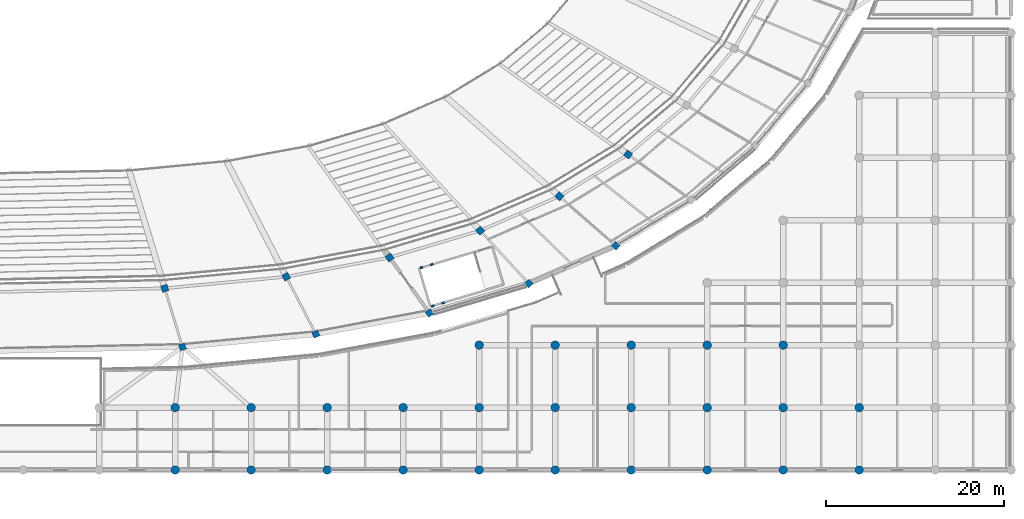
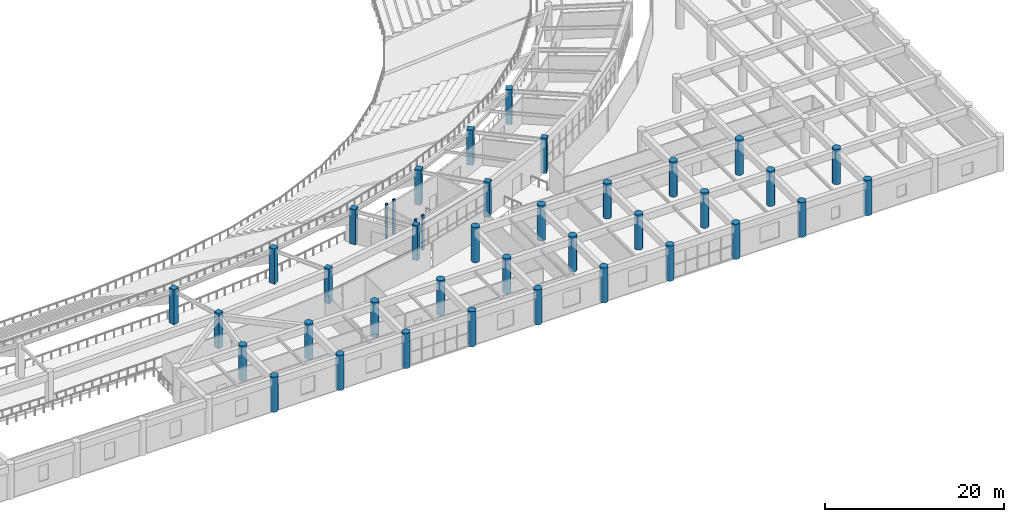
# One storey, part 4 of 137: 40 columns.
"""IFC4 building model written with IfcOpenShell, lengths in metres."""

from ifc_helpers import new_model, si_unit, direction, frame, origin, origin_2d, place, context, subcontext, project, spatial, rectangle, circle, extrude, material, material_profile, profile_set, type_object, element, save


model = new_model("IFC4")

# Units and contexts
model_context = context("Model", 3, precision=1e-05, world=origin(), true_north=direction((0.0, 1.0)))
body_context = subcontext(model_context, "Body", "Model", "MODEL_VIEW")
ifc_project = project(units=[si_unit("LENGTHUNIT", "METRE"), si_unit("AREAUNIT", "SQUARE_METRE"), si_unit("VOLUMEUNIT", "CUBIC_METRE"), si_unit("PLANEANGLEUNIT", "RADIAN"), si_unit("MASSUNIT", "GRAM", prefix="KILO")], contexts=[model_context])

# Site, building, storey
site_placement = place(None, origin())
site = spatial("IfcSite", under=ifc_project, at=site_placement, CompositionType="ELEMENT")
building_placement = place(site_placement, origin())
building = spatial("IfcBuilding", under=site, at=building_placement, Name="Mphavela Belvedere Stadium", CompositionType="ELEMENT")
storey_placement = place(building_placement, frame((0.0, 0.0, 19.199951171875)))
storey = spatial("IfcBuildingStorey", under=building, at=storey_placement, Name="L04", CompositionType="ELEMENT", Elevation=19.199951171875)

# Columns
ifc_material_1 = material(Name="Concrete C40/50", Category="concrete")
ifc_material_profile_1 = material_profile(ifc_material_1, rectangle(XDim=0.300048828125, YDim=0.219970703125, at=origin_2d()), Name="RC 300x220")
ifc_profile_set_1 = profile_set([ifc_material_profile_1], Name="Concrete C40/50")
column_type_1 = type_object("IfcColumnType", Name="COL-CORE-POST-300", PredefinedType="COLUMN", material=ifc_profile_set_1)
for number, where, z_axis, x_axis, name in (
    (1, (165.05419921875, 23.027099609375, 0.0), (0.0, 0.0, 1.0), (-0.958670893355, -0.284517342588, 0.0), "Core P04 stair frame column L04-1"),
    (2, (163.90380859375, 22.685791015625, 0.0), (0.0, 0.0, 1.0), (-0.958670893355, -0.284517342588, 0.0), "Core P04 stair frame column L04-2"),
    (3, (165.175537109375, 18.400390625, 0.0), (0.0, 0.0, 1.0), (-0.958670893355, -0.284517342588, 0.0), "Core P04 stair frame column L04-3"),
    (4, (166.325927734375, 18.741943359375, 0.0), (0.0, 0.0, 1.0), (-0.958670893355, -0.284517342588, 0.0), "Core P04 stair frame column L04-4"),
):
    element("IfcColumn", number, at=place(storey_placement, frame(where, z_axis=z_axis, x_axis=x_axis)), inside=storey, type_object=column_type_1, Name=name, PredefinedType="COLUMN", context=body_context, shape_type="SweptSolid", body=[
        extrude(rectangle(XDim=0.300048828125, YDim=0.219970703125, at=origin_2d()), origin(), (0.0, 0.0, 1.0), 4.800048828125),
    ])
ifc_material_2 = material(Name="Concrete C40/50", Category="concrete")
ifc_material_profile_2 = material_profile(ifc_material_2, circle(Radius=0.47509765625, at=origin_2d()), Name="COL D950")
ifc_profile_set_2 = profile_set([ifc_material_profile_2], Name="Concrete C40/50")
column_type_2 = type_object("IfcColumnType", Name="COL-DORIC-950", PredefinedType="COLUMN", material=ifc_profile_set_2)
for number, where, z_axis, x_axis, name in (
    (5, (136.2958984375, 0.0, 0.0), (0.0, 0.0, 1.0), (1.0, 0.0, 0.0), "South Axial Triumphal Peristyle Portico classical column L04 17-1"),
    (6, (136.2958984375, 7.0, 0.0), (0.0, 0.0, 1.0), (1.0, 0.0, 0.0), "South Axial Triumphal Peristyle Portico classical column L04 17-2"),
    (7, (144.81494140625, 0.0, 0.0), (0.0, 0.0, 1.0), (1.0, 0.0, 0.0), "South Axial Triumphal Peristyle Portico classical column L04 18-1"),
    (8, (144.81494140625, 7.0, 0.0), (0.0, 0.0, 1.0), (1.0, 0.0, 0.0), "South Axial Triumphal Peristyle Portico classical column L04 18-2"),
    (9, (153.3330078125, 0.0, 0.0), (0.0, 0.0, 1.0), (1.0, 0.0, 0.0), "South Axial Triumphal Peristyle Portico classical column L04 19-1"),
    (10, (153.3330078125, 7.0, 0.0), (0.0, 0.0, 1.0), (1.0, 0.0, 0.0), "South Axial Triumphal Peristyle Portico classical column L04 19-2"),
    (11, (161.85205078125, 0.0, 0.0), (0.0, 0.0, 1.0), (1.0, 0.0, 0.0), "South Axial Triumphal Peristyle Portico classical column L04 20-1"),
    (12, (161.85205078125, 7.0, 0.0), (0.0, 0.0, 1.0), (1.0, 0.0, 0.0), "South Axial Triumphal Peristyle Portico classical column L04 20-2"),
    (13, (170.3701171875, 0.0, 0.0), (0.0, 0.0, 1.0), (1.0, 0.0, 0.0), "South Axial Triumphal Peristyle Portico classical column L04 21-1"),
    (14, (170.3701171875, 7.0, 0.0), (0.0, 0.0, 1.0), (1.0, 0.0, 0.0), "South Axial Triumphal Peristyle Portico classical column L04 21-2"),
    (15, (170.3701171875, 14.0, 0.0), (0.0, 0.0, 1.0), (1.0, 0.0, 0.0), "South Axial Triumphal Peristyle Portico classical column L04 21-3"),
    (16, (178.888916015625, 0.0, 0.0), (0.0, 0.0, 1.0), (1.0, 0.0, 0.0), "South Axial Triumphal Peristyle Portico classical column L04 22-1"),
    (17, (178.888916015625, 7.0, 0.0), (0.0, 0.0, 1.0), (1.0, 0.0, 0.0), "South Axial Triumphal Peristyle Portico classical column L04 22-2"),
    (18, (178.888916015625, 14.0, 0.0), (0.0, 0.0, 1.0), (1.0, 0.0, 0.0), "South Axial Triumphal Peristyle Portico classical column L04 22-3"),
    (19, (187.406982421875, 0.0, 0.0), (0.0, 0.0, 1.0), (1.0, 0.0, 0.0), "South Axial Triumphal Peristyle Portico classical column L04 23-1"),
    (20, (187.406982421875, 7.0, 0.0), (0.0, 0.0, 1.0), (1.0, 0.0, 0.0), "South Axial Triumphal Peristyle Portico classical column L04 23-2"),
    (21, (187.406982421875, 14.0, 0.0), (0.0, 0.0, 1.0), (1.0, 0.0, 0.0), "South Axial Triumphal Peristyle Portico classical column L04 23-3"),
    (22, (195.926025390625, 0.0, 0.0), (0.0, 0.0, 1.0), (1.0, 0.0, 0.0), "South Axial Triumphal Peristyle Portico classical column L04 24-1"),
    (23, (195.926025390625, 7.0, 0.0), (0.0, 0.0, 1.0), (1.0, 0.0, 0.0), "South Axial Triumphal Peristyle Portico classical column L04 24-2"),
    (24, (195.926025390625, 14.0, 0.0), (0.0, 0.0, 1.0), (1.0, 0.0, 0.0), "South Axial Triumphal Peristyle Portico classical column L04 24-3"),
    (25, (204.444091796875, 0.0, 0.0), (0.0, 0.0, 1.0), (1.0, 0.0, 0.0), "South Axial Triumphal Peristyle Portico classical column L04 25-1"),
    (26, (204.444091796875, 7.0, 0.0), (0.0, 0.0, 1.0), (1.0, 0.0, 0.0), "South Axial Triumphal Peristyle Portico classical column L04 25-2"),
    (27, (204.444091796875, 14.0, 0.0), (0.0, 0.0, 1.0), (1.0, 0.0, 0.0), "South Axial Triumphal Peristyle Portico classical column L04 25-3"),
    (28, (212.962890625, 0.0, 0.0), (0.0, 0.0, 1.0), (1.0, 0.0, 0.0), "South Axial Triumphal Peristyle Portico classical column L04 26-1"),
    (29, (212.962890625, 7.0, 0.0), (0.0, 0.0, 1.0), (1.0, 0.0, 0.0), "South Axial Triumphal Peristyle Portico classical column L04 26-2"),
):
    element("IfcColumn", number, at=place(storey_placement, frame(where, z_axis=z_axis, x_axis=x_axis)), inside=storey, type_object=column_type_2, Name=name, PredefinedType="COLUMN", context=body_context, shape_type="SweptSolid", body=[
        extrude(circle(Radius=0.47509765625, at=origin_2d()), origin(), (0.0, 0.0, 1.0), 4.800048828125),
    ])
ifc_material_3 = material(Name="Concrete C40/50", Category="concrete")
ifc_material_profile_3 = material_profile(ifc_material_3, rectangle(XDim=0.699951171875, YDim=0.699951171875, at=origin_2d()), Name="RC 700x700")
ifc_profile_set_3 = profile_set([ifc_material_profile_3], Name="Concrete C40/50")
column_type_3 = type_object("IfcColumnType", Name="COL-RC700", PredefinedType="COLUMN", material=ifc_profile_set_3)
for number, where, z_axis, x_axis, name in (
    (30, (137.114501953125, 13.80615234375, 0.0), (0.0, 0.0, 1.0), (0.289198876314, -0.957269037387, 0.0), "Outer colonnade column L04 R4-38"),
    (31, (152.07275390625, 15.232666015625, 0.0), (0.0, 0.0, 1.0), (0.458959712465, -0.888457079624, 0.0), "Outer colonnade column L04 R4-39"),
    (32, (164.80126953125, 17.60302734375, 0.0), (0.0, 0.0, 1.0), (0.582974127943, -0.812490717577, 0.0), "Outer colonnade column L04 R4-40"),
    (33, (175.9375, 20.90869140625, 0.0), (0.0, 0.0, 1.0), (0.677903094969, -0.735151272753, 0.0), "Outer colonnade column L04 R4-41"),
    (34, (185.6962890625, 25.13916015625, 0.0), (0.0, 0.0, 1.0), (0.752529860433, -0.658558128912, 0.0), "Outer colonnade column L04 R4-42"),
):
    element("IfcColumn", number, at=place(storey_placement, frame(where, z_axis=z_axis, x_axis=x_axis)), inside=storey, type_object=column_type_3, Name=name, PredefinedType="COLUMN", context=body_context, shape_type="SweptSolid", body=[
        extrude(rectangle(XDim=0.699951171875, YDim=0.699951171875, at=origin_2d()), origin(), (0.0, 0.0, 1.0), 4.800048828125),
    ])
ifc_material_4 = material(Name="Concrete C40/50", Category="concrete")
ifc_material_profile_4 = material_profile(ifc_material_4, rectangle(XDim=0.75, YDim=0.75, at=origin_2d()), Name="RC 750x750")
ifc_profile_set_4 = profile_set([ifc_material_profile_4], Name="Concrete C40/50")
column_type_4 = type_object("IfcColumnType", Name="COL-RC750", PredefinedType="COLUMN", material=ifc_profile_set_4)
for number, where, z_axis, x_axis, name in (
    (35, (135.1328125, 20.365966796875, 0.0), (0.0, 0.0, 1.0), (0.289198876314, -0.957269037387, 0.0), "Main bowl column L04 R3-38"),
    (36, (148.750244140625, 21.66455078125, 0.0), (0.0, 0.0, 1.0), (0.458959712465, -0.888457079624, 0.0), "Main bowl column L04 R3-39"),
    (37, (160.337890625, 23.822509765625, 0.0), (0.0, 0.0, 1.0), (0.582974127943, -0.812490717577, 0.0), "Main bowl column L04 R3-40"),
    (38, (170.476318359375, 26.83203125, 0.0), (0.0, 0.0, 1.0), (0.677903094969, -0.735151272753, 0.0), "Main bowl column L04 R3-41"),
    (39, (179.360107421875, 30.68310546875, 0.0), (0.0, 0.0, 1.0), (0.752529860433, -0.658558128912, 0.0), "Main bowl column L04 R3-42"),
    (40, (187.061279296875, 35.368408203125, 0.0), (0.0, 0.0, 1.0), (0.812897512265, -0.582406760395, 0.0), "Main bowl column L04 R3-43"),
):
    element("IfcColumn", number, at=place(storey_placement, frame(where, z_axis=z_axis, x_axis=x_axis)), inside=storey, type_object=column_type_4, Name=name, PredefinedType="COLUMN", context=body_context, shape_type="SweptSolid", body=[
        extrude(rectangle(XDim=0.75, YDim=0.75, at=origin_2d()), origin(), (0.0, 0.0, 1.0), 4.800048828125),
    ])

save(model, "model.ifc")
